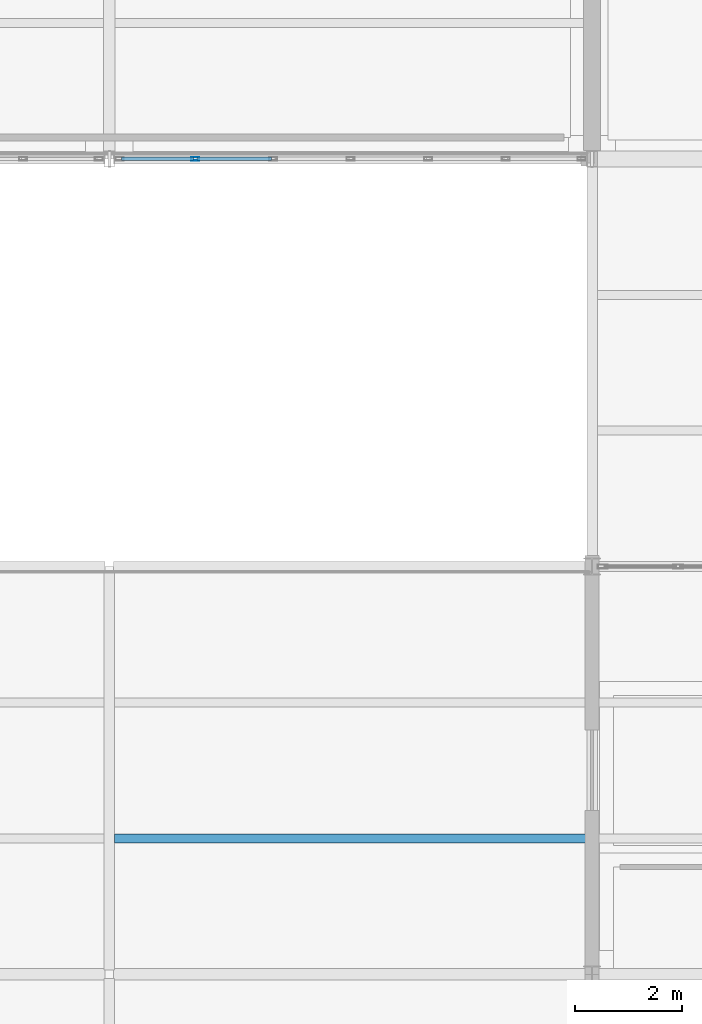
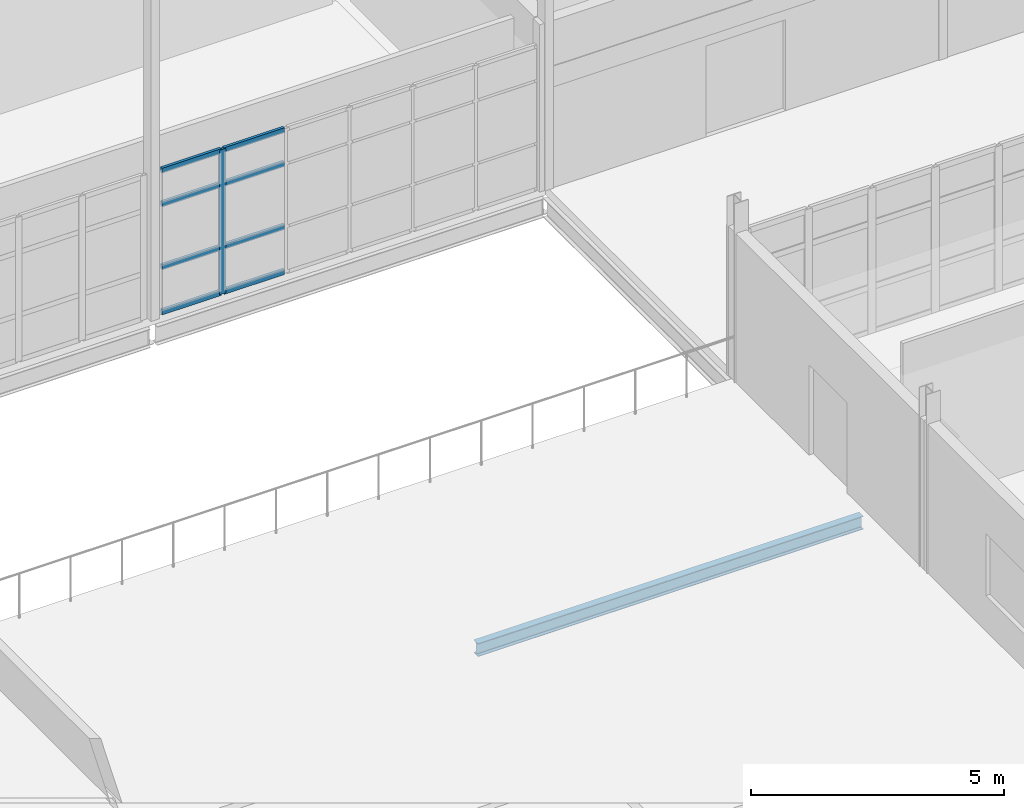
# One storey, part 32 of 166: 9 members, 1 beam, 1 element without a shape of its own.
"""IFC4 building model written with IfcOpenShell, lengths in metres."""

from ifc_helpers import new_model, si_unit, direction, frame, origin, origin_2d, place, context, subcontext, project, spatial, hollow_rectangle, i_section, extrude, material, material_profile, profile_set, type_object, element, aggregate, save


model = new_model("IFC4")

# Units and contexts
model_context = context("Model", 3, precision=1e-05, world=origin(), true_north=direction((0.0, 1.0)))
body_context = subcontext(model_context, "Body", "Model", "MODEL_VIEW")
ifc_project = project(units=[si_unit("LENGTHUNIT", "METRE"), si_unit("AREAUNIT", "SQUARE_METRE"), si_unit("VOLUMEUNIT", "CUBIC_METRE"), si_unit("PLANEANGLEUNIT", "RADIAN"), si_unit("MASSUNIT", "GRAM", prefix="KILO")], contexts=[model_context])

# Site, building, storey
site_placement = place(None, origin())
site = spatial("IfcSite", under=ifc_project, at=site_placement, CompositionType="ELEMENT")
building_placement = place(site_placement, origin())
building = spatial("IfcBuilding", under=site, at=building_placement, Name="Caisbarro Railhouse Central Library", CompositionType="ELEMENT")
storey_placement = place(building_placement, frame((0.0, 0.0, 9.360107421875)))
storey = spatial("IfcBuildingStorey", under=building, at=storey_placement, Name="L02", CompositionType="ELEMENT", Elevation=9.360107421875)

# Beam
ifc_material_1 = material(Name="Steel ASTM A572 Grade 50", Category="steel")
ifc_material_profile_1 = material_profile(ifc_material_1, i_section(OverallWidth=0.1669921875, OverallDepth=0.31689453125, WebThickness=0.007568359375, FlangeThickness=0.01318359375, FilletRadius=0.011962890625, at=origin_2d()), Name="W310X52.0")
ifc_profile_set_1 = profile_set([ifc_material_profile_1], Name="Steel ASTM A572 Grade 50")
beam_type = type_object("IfcBeamType", Name="BM-J02", PredefinedType="JOIST", material=ifc_profile_set_1)
beam_placement = place(storey_placement, frame((45.096923828125, 17.7333984375, -0.36865234375), z_axis=(1.0, 0.0, 0.0), x_axis=(0.0, 1.0, 0.0)))
element("IfcBeam", 1, at=beam_placement, inside=storey, type_object=beam_type, Name="J02 beam L02 #1607", PredefinedType="JOIST", context=body_context, shape_type="SweptSolid", body=[
    extrude(i_section(OverallWidth=0.1669921875, OverallDepth=0.31689453125, WebThickness=0.007568359375, FlangeThickness=0.01318359375, FilletRadius=0.011962890625, at=origin_2d()), origin(), (0.0, 0.0, 1.0), 8.80615234375),
])

# Curtain wall, members
ifc_material_2 = material(Name="Anodised architectural aluminium", Category="aluminium")
curtain_wall_type = type_object("IfcCurtainWallType", Name="CW-CW02", PredefinedType="NOTDEFINED", material=ifc_material_2)
curtain_wall_placement = place(storey_placement, origin())
curtain_wall = element("IfcCurtainWall", 2, at=curtain_wall_placement, inside=storey, type_object=curtain_wall_type, Name="CW02 curtain wall L02 #47", PredefinedType="NOTDEFINED")
ifc_material_profile_2 = material_profile(ifc_material_2, hollow_rectangle(XDim=0.06494140625, YDim=0.14990234375, WallThickness=0.00390625, at=origin_2d()), Name="ALU-MUL-65X150")
ifc_profile_set_2 = profile_set([ifc_material_profile_2], Name="Anodised architectural aluminium")
member_type_1 = type_object("IfcMemberType", Name="CWM-M02", PredefinedType="MULLION", material=ifc_profile_set_2)
member_1_placement = place(storey_placement, frame((46.606689453125, 30.39990234375, 0.0), z_axis=(0.0, 0.0, 1.0), x_axis=(0.0, 1.0, 0.0)))
member_1 = element("IfcMember", 3, at=member_1_placement, type_object=member_type_1, Name="CW02 mullion 2", PredefinedType="MULLION", context=body_context, shape_type="SweptSolid", body=[
    extrude(hollow_rectangle(XDim=0.06494140625, YDim=0.14990234375, WallThickness=0.00390625, at=origin_2d()), origin(), (0.0, 0.0, 1.0), 3.489990234375),
])
ifc_material_profile_3 = material_profile(ifc_material_2, hollow_rectangle(XDim=0.06494140625, YDim=0.1201171875, WallThickness=0.00341796875, at=origin_2d()), Name="ALU-TRN-65X120")
ifc_profile_set_3 = profile_set([ifc_material_profile_3], Name="Anodised architectural aluminium")
member_type_2 = type_object("IfcMemberType", Name="CWT-T02", PredefinedType="USERDEFINED", material=ifc_profile_set_3)
member_2_placement = place(storey_placement, frame((45.22509765625, 30.39990234375, 0.032470703125), z_axis=(1.0, 0.0, 0.0), x_axis=(0.0, 1.0, 0.0)))
member_2 = element("IfcMember", 4, at=member_2_placement, type_object=member_type_2, Name="CW02 transom 1.1", ObjectType="TRANSOM", PredefinedType="USERDEFINED", context=body_context, shape_type="SweptSolid", body=[
    extrude(hollow_rectangle(XDim=0.06494140625, YDim=0.1201171875, WallThickness=0.00341796875, at=origin_2d()), origin(), (0.0, 0.0, 1.0), 1.34912109375),
])
member_3_placement = place(storey_placement, frame((45.22509765625, 30.39990234375, 1.119873046875), z_axis=(1.0, 0.0, 0.0), x_axis=(0.0, 1.0, 0.0)))
member_3 = element("IfcMember", 5, at=member_3_placement, type_object=member_type_2, Name="CW02 transom 1.2", ObjectType="TRANSOM", PredefinedType="USERDEFINED", context=body_context, shape_type="SweptSolid", body=[
    extrude(hollow_rectangle(XDim=0.06494140625, YDim=0.1201171875, WallThickness=0.00341796875, at=origin_2d()), origin(), (0.0, 0.0, 1.0), 1.34912109375),
])
member_4_placement = place(storey_placement, frame((45.22509765625, 30.39990234375, 2.639892578125), z_axis=(1.0, 0.0, 0.0), x_axis=(0.0, 1.0, 0.0)))
member_4 = element("IfcMember", 6, at=member_4_placement, type_object=member_type_2, Name="CW02 transom 1.3", ObjectType="TRANSOM", PredefinedType="USERDEFINED", context=body_context, shape_type="SweptSolid", body=[
    extrude(hollow_rectangle(XDim=0.06494140625, YDim=0.1201171875, WallThickness=0.00341796875, at=origin_2d()), origin(), (0.0, 0.0, 1.0), 1.34912109375),
])
member_5_placement = place(storey_placement, frame((45.22509765625, 30.39990234375, 3.457275390625), z_axis=(1.0, 0.0, 0.0), x_axis=(0.0, 1.0, 0.0)))
member_5 = element("IfcMember", 7, at=member_5_placement, type_object=member_type_2, Name="CW02 transom 1.4", ObjectType="TRANSOM", PredefinedType="USERDEFINED", context=body_context, shape_type="SweptSolid", body=[
    extrude(hollow_rectangle(XDim=0.06494140625, YDim=0.1201171875, WallThickness=0.00341796875, at=origin_2d()), origin(), (0.0, 0.0, 1.0), 1.34912109375),
])
member_6_placement = place(storey_placement, frame((46.63916015625, 30.39990234375, 0.032470703125), z_axis=(1.0, 0.0, 0.0), x_axis=(0.0, 1.0, 0.0)))
member_6 = element("IfcMember", 8, at=member_6_placement, type_object=member_type_2, Name="CW02 transom 2.1", ObjectType="TRANSOM", PredefinedType="USERDEFINED", context=body_context, shape_type="SweptSolid", body=[
    extrude(hollow_rectangle(XDim=0.06494140625, YDim=0.1201171875, WallThickness=0.00341796875, at=origin_2d()), origin(), (0.0, 0.0, 1.0), 1.381591796875),
])
member_7_placement = place(storey_placement, frame((46.63916015625, 30.39990234375, 1.119873046875), z_axis=(1.0, 0.0, 0.0), x_axis=(0.0, 1.0, 0.0)))
member_7 = element("IfcMember", 9, at=member_7_placement, type_object=member_type_2, Name="CW02 transom 2.2", ObjectType="TRANSOM", PredefinedType="USERDEFINED", context=body_context, shape_type="SweptSolid", body=[
    extrude(hollow_rectangle(XDim=0.06494140625, YDim=0.1201171875, WallThickness=0.00341796875, at=origin_2d()), origin(), (0.0, 0.0, 1.0), 1.381591796875),
])
member_8_placement = place(storey_placement, frame((46.63916015625, 30.39990234375, 2.639892578125), z_axis=(1.0, 0.0, 0.0), x_axis=(0.0, 1.0, 0.0)))
member_8 = element("IfcMember", 10, at=member_8_placement, type_object=member_type_2, Name="CW02 transom 2.3", ObjectType="TRANSOM", PredefinedType="USERDEFINED", context=body_context, shape_type="SweptSolid", body=[
    extrude(hollow_rectangle(XDim=0.06494140625, YDim=0.1201171875, WallThickness=0.00341796875, at=origin_2d()), origin(), (0.0, 0.0, 1.0), 1.381591796875),
])
member_9_placement = place(storey_placement, frame((46.63916015625, 30.39990234375, 3.457275390625), z_axis=(1.0, 0.0, 0.0), x_axis=(0.0, 1.0, 0.0)))
member_9 = element("IfcMember", 11, at=member_9_placement, type_object=member_type_2, Name="CW02 transom 2.4", ObjectType="TRANSOM", PredefinedType="USERDEFINED", context=body_context, shape_type="SweptSolid", body=[
    extrude(hollow_rectangle(XDim=0.06494140625, YDim=0.1201171875, WallThickness=0.00341796875, at=origin_2d()), origin(), (0.0, 0.0, 1.0), 1.381591796875),
])
aggregate(curtain_wall, [member_1, member_2, member_3, member_4, member_5, member_6, member_7, member_8, member_9])

save(model, "model.ifc")
